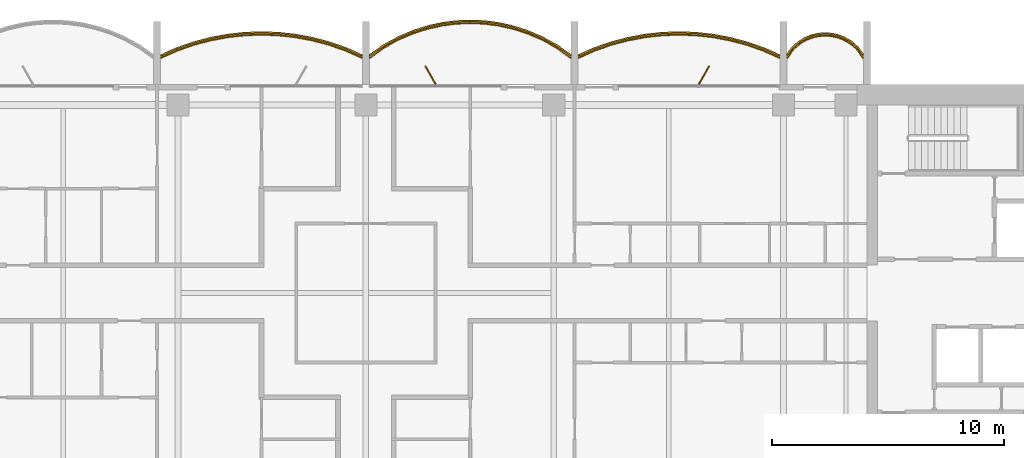
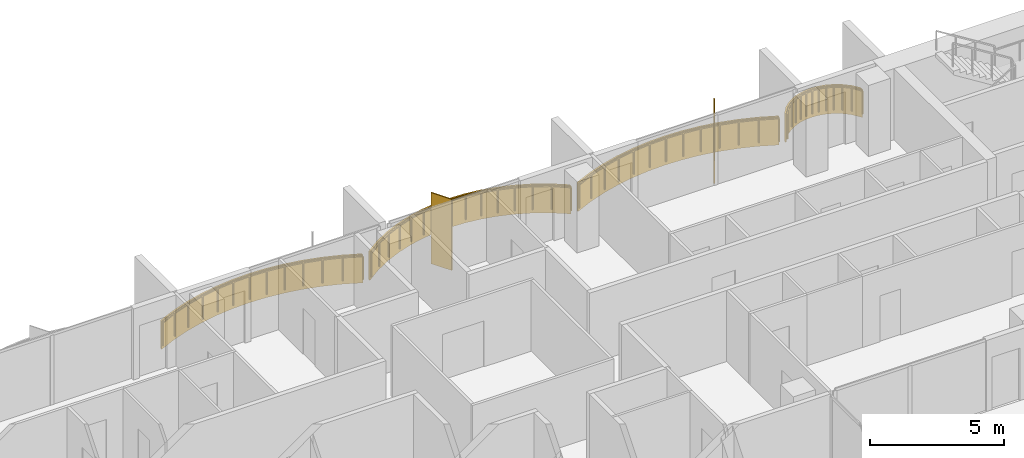
# One storey, part 17 of 17: 4 coverings, 4 railings, 2 shading devices.
"""IFC4 building model written with IfcOpenShell, lengths in metres."""

from ifc_helpers import new_model, si_unit, direction, frame, origin, origin_2d, place, context, subcontext, project, spatial, polyline, rectangle, outline, extrude, material, layer, layer_set, type_object, element, save


model = new_model("IFC4")

# Units and contexts
model_context = context("Model", 3, precision=1e-05, world=origin(), true_north=direction((0.0, 1.0)))
body_context = subcontext(model_context, "Body", "Model", "MODEL_VIEW")
ifc_project = project(units=[si_unit("LENGTHUNIT", "METRE"), si_unit("AREAUNIT", "SQUARE_METRE"), si_unit("VOLUMEUNIT", "CUBIC_METRE"), si_unit("PLANEANGLEUNIT", "RADIAN"), si_unit("MASSUNIT", "GRAM", prefix="KILO")], contexts=[model_context])

# Site, building, storey
site_placement = place(None, origin())
site = spatial("IfcSite", under=ifc_project, at=site_placement, CompositionType="ELEMENT")
building_placement = place(site_placement, origin())
building = spatial("IfcBuilding", under=site, at=building_placement, Name="Perihelion Cross Residences", CompositionType="ELEMENT")
storey_placement = place(building_placement, frame((0.0, 0.0, 194.60009765625)))
storey = spatial("IfcBuildingStorey", under=building, at=storey_placement, Name="L48", CompositionType="ELEMENT", Elevation=194.60009765625)

# Coverings
ifc_material_1 = material(Name="Bronze anodised aluminium", Category="aluminium")
ifc_layer_1 = layer(ifc_material_1, 0.070068359375)
ifc_layer_set_1 = layer_set([ifc_layer_1], Name="Balcony fascia 1300")
covering_type = type_object("IfcCoveringType", Name="Balcony fascia 1300", PredefinedType="CLADDING", material=ifc_layer_set_1)
covering_1_placement = place(storey_placement, frame((0.0, 0.0, -0.2001953125)))
element("IfcCovering", 1, at=covering_1_placement, inside=storey, type_object=covering_type, Name="Fascia BF1 L48 east side north bay 1", PredefinedType="CLADDING", context=body_context, shape_type="SweptSolid", body=[
    extrude(outline(polyline([(21.226318359375, 10.616455078125), (20.94091796875, 10.86328125), (20.655517578125, 11.031494140625), (20.370361328125, 11.142578125), (20.085205078125, 11.206298828125), (19.800048828125, 11.22705078125), (19.514892578125, 11.206298828125), (19.229736328125, 11.142578125), (18.9443359375, 11.031494140625), (18.6591796875, 10.86328125), (18.373779296875, 10.616455078125), (18.14990234375, 10.31689453125), (18.14990234375, 10.199951171875), (18.425048828125, 10.568603515625), (18.699951171875, 10.806396484375), (18.97509765625, 10.96875), (19.25, 11.07568359375), (19.52490234375, 11.136962890625), (19.800048828125, 11.156982421875), (20.074951171875, 11.136962890625), (20.35009765625, 11.07568359375), (20.625, 10.96875), (20.89990234375, 10.806396484375), (21.175048828125, 10.568603515625), (21.449951171875, 10.199951171875), (21.449951171875, 10.31689453125), (21.226318359375, 10.616455078125)])), origin(), (0.0, 0.0, 1.0), 1.300048828125),
])
covering_2_placement = place(storey_placement, frame((0.0, 0.0, -0.2001953125)))
element("IfcCovering", 2, at=covering_2_placement, inside=storey, type_object=covering_type, Name="Fascia BF1 L48 east side north bay 2", PredefinedType="CLADDING", context=body_context, shape_type="SweptSolid", body=[
    extrude(outline(polyline([(17.150634765625, 10.582275390625), (16.42041015625, 10.83544921875), (15.690185546875, 11.028076171875), (14.960205078125, 11.1630859375), (14.22998046875, 11.243408203125), (13.5, 11.27001953125), (12.77001953125, 11.243408203125), (12.039794921875, 11.1630859375), (11.309814453125, 11.028076171875), (10.57958984375, 10.83544921875), (9.849365234375, 10.582275390625), (9.14990234375, 10.2763671875), (9.14990234375, 10.199951171875), (9.875, 10.51708984375), (10.60009765625, 10.7685546875), (11.324951171875, 10.959716796875), (12.050048828125, 11.093994140625), (12.77490234375, 11.173583984375), (13.5, 11.199951171875), (14.22509765625, 11.173583984375), (14.949951171875, 11.093994140625), (15.675048828125, 10.959716796875), (16.39990234375, 10.7685546875), (17.125, 10.51708984375), (17.85009765625, 10.199951171875), (17.85009765625, 10.2763671875), (17.150634765625, 10.582275390625)])), origin(), (0.0, 0.0, 1.0), 1.300048828125),
])
covering_3_placement = place(storey_placement, frame((0.0, 0.0, -0.2001953125)))
element("IfcCovering", 3, at=covering_3_placement, inside=storey, type_object=covering_type, Name="Fascia BF1 L48 north side east bay 1", PredefinedType="CLADDING", context=body_context, shape_type="SweptSolid", body=[
    extrude(outline(polyline([(8.265625, 10.694091796875), (7.637939453125, 11.0419921875), (7.010498046875, 11.313232421875), (6.3828125, 11.516845703125), (5.755126953125, 11.65869140625), (5.127685546875, 11.742431640625), (4.5, 11.77001953125), (3.872314453125, 11.742431640625), (3.244873046875, 11.65869140625), (2.6171875, 11.516845703125), (1.989501953125, 11.313232421875), (1.362060546875, 11.0419921875), (0.734375, 10.694091796875), (0.14990234375, 10.285400390625), (0.14990234375, 10.199951171875), (0.771484375, 10.634765625), (1.392822265625, 10.979248046875), (2.014404296875, 11.247802734375), (2.6357421875, 11.44921875), (3.257080078125, 11.589599609375), (3.878662109375, 11.672607421875), (4.5, 11.699951171875), (5.121337890625, 11.672607421875), (5.742919921875, 11.589599609375), (6.3642578125, 11.44921875), (6.985595703125, 11.247802734375), (7.607177734375, 10.979248046875), (8.228515625, 10.634765625), (8.85009765625, 10.199951171875), (8.85009765625, 10.285400390625), (8.265625, 10.694091796875)])), origin(), (0.0, 0.0, 1.0), 1.300048828125),
])
covering_4_placement = place(storey_placement, frame((0.0, 0.0, -0.2001953125)))
element("IfcCovering", 4, at=covering_4_placement, inside=storey, type_object=covering_type, Name="Fascia BF1 L48 north side east bay 2", PredefinedType="CLADDING", context=body_context, shape_type="SweptSolid", body=[
    extrude(outline(polyline([(-0.849365234375, 10.582275390625), (-1.57958984375, 10.83544921875), (-2.309814453125, 11.028076171875), (-3.039794921875, 11.1630859375), (-3.77001953125, 11.243408203125), (-4.5, 11.27001953125), (-5.22998046875, 11.243408203125), (-5.960205078125, 11.1630859375), (-6.690185546875, 11.028076171875), (-7.42041015625, 10.83544921875), (-8.150634765625, 10.582275390625), (-8.85009765625, 10.2763671875), (-8.85009765625, 10.199951171875), (-8.125, 10.51708984375), (-7.39990234375, 10.7685546875), (-6.675048828125, 10.959716796875), (-5.949951171875, 11.093994140625), (-5.22509765625, 11.173583984375), (-4.5, 11.199951171875), (-3.77490234375, 11.173583984375), (-3.050048828125, 11.093994140625), (-2.324951171875, 10.959716796875), (-1.60009765625, 10.7685546875), (-0.875, 10.51708984375), (-0.14990234375, 10.199951171875), (-0.14990234375, 10.2763671875), (-0.849365234375, 10.582275390625)])), origin(), (0.0, 0.0, 1.0), 1.300048828125),
])

# Railings
ifc_material_2 = material(Name="Bronze anodised aluminium", Category="aluminium")
railing_type = type_object("IfcRailingType", Name="Balcony guard 1100", PredefinedType="GUARDRAIL", material=ifc_material_2)
railing_1_placement = place(storey_placement, frame((21.425048828125, 10.139892578125, 0.0)))
element("IfcRailing", 5, at=railing_1_placement, inside=storey, type_object=railing_type, Name="Guard GU1 L48 east side north bay 1 balcony", PredefinedType="GUARDRAIL", context=body_context, shape_type="SweptSolid", body=[
    extrude(rectangle(XDim=0.048095703125, YDim=0.048095703125, at=origin_2d()), frame((0.0, 0.0, 1.076171875), z_axis=(-0.561260132269, 0.827639452857, 0.0), x_axis=(-0.827639452857, -0.561260132269, 0.0)), (0.0, 0.0, 1.0), 0.4453125),
    extrude(rectangle(XDim=0.048095703125, YDim=0.048095703125, at=origin_2d()), frame((-0.25, 0.36865234375, 1.076171875), z_axis=(-0.756596535164, 0.653882009982, 0.0), x_axis=(-0.653882009982, -0.756596535164, 0.0)), (0.0, 0.0, 1.0), 0.36376953125),
    extrude(rectangle(XDim=0.048095703125, YDim=0.048095703125, at=origin_2d()), frame((-0.525146484375, 0.6064453125, 1.076171875), z_axis=(-0.861048292884, 0.508523192511, 0.0), x_axis=(-0.508523192511, -0.861048292884, 0.0)), (0.0, 0.0, 1.0), 0.3193359375),
    extrude(rectangle(XDim=0.048095703125, YDim=0.048095703125, at=origin_2d()), frame((-0.800048828125, 0.768798828125, 1.076171875), z_axis=(-0.931973602183, 0.362526143656, 0.0), x_axis=(-0.362526143656, -0.931973602183, 0.0)), (0.0, 0.0, 1.0), 0.294921875),
    extrude(rectangle(XDim=0.048095703125, YDim=0.048095703125, at=origin_2d()), frame((-1.074951171875, 0.875732421875, 1.076171875), z_axis=(-0.976085059389, 0.21738895289, 0.0), x_axis=(-0.21738895289, -0.976085059389, 0.0)), (0.0, 0.0, 1.0), 0.281982421875),
    extrude(rectangle(XDim=0.048095703125, YDim=0.048095703125, at=origin_2d()), frame((-1.35009765625, 0.93701171875, 1.076171875), z_axis=(-0.997358821833, 0.072631814734, 0.0), x_axis=(-0.072631814734, -0.997358821833, 0.0)), (0.0, 0.0, 1.0), 0.275634765625),
    extrude(rectangle(XDim=0.048095703125, YDim=0.048095703125, at=origin_2d()), frame((-1.625, 0.95703125, 1.076171875), z_axis=(-0.997363488337, -0.072567707226, 0.0), x_axis=(0.072567707226, -0.997363488337, 0.0)), (0.0, 0.0, 1.0), 0.27587890625),
    extrude(rectangle(XDim=0.048095703125, YDim=0.048095703125, at=origin_2d()), frame((-1.900146484375, 0.93701171875, 1.076171875), z_axis=(-0.976044077717, -0.217572880557, 0.0), x_axis=(0.217572880557, -0.976044077717, 0.0)), (0.0, 0.0, 1.0), 0.28173828125),
    extrude(rectangle(XDim=0.048095703125, YDim=0.048095703125, at=origin_2d()), frame((-2.175048828125, 0.875732421875, 1.076171875), z_axis=(-0.931973602183, -0.362526143656, 0.0), x_axis=(0.362526143656, -0.931973602183, 0.0)), (0.0, 0.0, 1.0), 0.294921875),
    extrude(rectangle(XDim=0.048095703125, YDim=0.048095703125, at=origin_2d()), frame((-2.449951171875, 0.768798828125, 1.076171875), z_axis=(-0.861245845072, -0.508188542123, 0.0), x_axis=(0.508188542123, -0.861245845072, 0.0)), (0.0, 0.0, 1.0), 0.319580078125),
    extrude(rectangle(XDim=0.048095703125, YDim=0.048095703125, at=origin_2d()), frame((-2.72509765625, 0.6064453125, 1.076171875), z_axis=(-0.756309278473, -0.654214242658, 0.0), x_axis=(0.654214242658, -0.756309278473, 0.0)), (0.0, 0.0, 1.0), 0.363525390625),
    extrude(rectangle(XDim=0.048095703125, YDim=0.048095703125, at=origin_2d()), frame((-3.0, 0.36865234375, 1.076171875), z_axis=(-0.561260132269, -0.827639452857, 0.0), x_axis=(0.827639452857, -0.561260132269, 0.0)), (0.0, 0.0, 1.0), 0.4453125),
    extrude(rectangle(XDim=0.0419921875, YDim=0.0419921875, at=origin_2d()), origin(), (0.0, 0.0, 1.0), 1.052001953125),
    extrude(rectangle(XDim=0.0419921875, YDim=0.0419921875, at=origin_2d()), frame((-0.25, 0.36865234375, 0.0)), (0.0, 0.0, 1.0), 1.052001953125),
    extrude(rectangle(XDim=0.0419921875, YDim=0.0419921875, at=origin_2d()), frame((-0.525146484375, 0.6064453125, 0.0)), (0.0, 0.0, 1.0), 1.052001953125),
    extrude(rectangle(XDim=0.0419921875, YDim=0.0419921875, at=origin_2d()), frame((-0.800048828125, 0.768798828125, 0.0)), (0.0, 0.0, 1.0), 1.052001953125),
    extrude(rectangle(XDim=0.0419921875, YDim=0.0419921875, at=origin_2d()), frame((-1.074951171875, 0.875732421875, 0.0)), (0.0, 0.0, 1.0), 1.052001953125),
    extrude(rectangle(XDim=0.0419921875, YDim=0.0419921875, at=origin_2d()), frame((-1.35009765625, 0.93701171875, 0.0)), (0.0, 0.0, 1.0), 1.052001953125),
    extrude(rectangle(XDim=0.0419921875, YDim=0.0419921875, at=origin_2d()), frame((-1.625, 0.95703125, 0.0)), (0.0, 0.0, 1.0), 1.052001953125),
    extrude(rectangle(XDim=0.0419921875, YDim=0.0419921875, at=origin_2d()), frame((-1.900146484375, 0.93701171875, 0.0)), (0.0, 0.0, 1.0), 1.052001953125),
    extrude(rectangle(XDim=0.0419921875, YDim=0.0419921875, at=origin_2d()), frame((-2.175048828125, 0.875732421875, 0.0)), (0.0, 0.0, 1.0), 1.052001953125),
    extrude(rectangle(XDim=0.0419921875, YDim=0.0419921875, at=origin_2d()), frame((-2.449951171875, 0.768798828125, 0.0)), (0.0, 0.0, 1.0), 1.052001953125),
    extrude(rectangle(XDim=0.0419921875, YDim=0.0419921875, at=origin_2d()), frame((-2.72509765625, 0.6064453125, 0.0)), (0.0, 0.0, 1.0), 1.052001953125),
    extrude(rectangle(XDim=0.0419921875, YDim=0.0419921875, at=origin_2d()), frame((-3.0, 0.36865234375, 0.0)), (0.0, 0.0, 1.0), 1.052001953125),
    extrude(rectangle(XDim=0.0419921875, YDim=0.0419921875, at=origin_2d()), frame((-3.25, 0.0, 0.0)), (0.0, 0.0, 1.0), 1.052001953125),
])
railing_2_placement = place(storey_placement, frame((17.824951171875, 10.139892578125, 0.0)))
element("IfcRailing", 6, at=railing_2_placement, inside=storey, type_object=railing_type, Name="Guard GU1 L48 east side north bay 2 balcony", PredefinedType="GUARDRAIL", context=body_context, shape_type="SweptSolid", body=[
    extrude(rectangle(XDim=0.048095703125, YDim=0.048095703125, at=origin_2d()), frame((0.0, 0.0, 1.076171875), z_axis=(-0.910866309087, 0.412701547089, 0.0), x_axis=(-0.412701547089, -0.910866309087, 0.0)), (0.0, 0.0, 1.0), 0.7685546875),
    extrude(rectangle(XDim=0.048095703125, YDim=0.048095703125, at=origin_2d()), frame((-0.699951171875, 0.317138671875, 1.076171875), z_axis=(-0.944796812452, 0.327656807012, 0.0), x_axis=(-0.327656807012, -0.944796812452, 0.0)), (0.0, 0.0, 1.0), 0.767578125),
    extrude(rectangle(XDim=0.048095703125, YDim=0.048095703125, at=origin_2d()), frame((-1.425048828125, 0.568603515625, 1.076171875), z_axis=(-0.966939404945, 0.255006249266, 0.0), x_axis=(-0.255006249266, -0.966939404945, 0.0)), (0.0, 0.0, 1.0), 0.749755859375),
    extrude(rectangle(XDim=0.048095703125, YDim=0.048095703125, at=origin_2d()), frame((-2.14990234375, 0.759765625, 1.076171875), z_axis=(-0.983282004984, 0.182089260182, 0.0), x_axis=(-0.182089260182, -0.983282004984, 0.0)), (0.0, 0.0, 1.0), 0.7373046875),
    extrude(rectangle(XDim=0.048095703125, YDim=0.048095703125, at=origin_2d()), frame((-2.875, 0.89404296875, 1.076171875), z_axis=(-0.994025805622, 0.109145305703, 0.0), x_axis=(-0.109145305703, -0.994025805622, 0.0)), (0.0, 0.0, 1.0), 0.729248046875),
    extrude(rectangle(XDim=0.048095703125, YDim=0.048095703125, at=origin_2d()), frame((-3.599853515625, 0.9736328125, 1.076171875), z_axis=(-0.999339497946, 0.036339618107, 0.0), x_axis=(-0.036339618107, -0.999339497946, 0.0)), (0.0, 0.0, 1.0), 0.7255859375),
    extrude(rectangle(XDim=0.048095703125, YDim=0.048095703125, at=origin_2d()), frame((-4.324951171875, 1.0, 1.076171875), z_axis=(-0.999339497946, -0.036339618107, 0.0), x_axis=(0.036339618107, -0.999339497946, 0.0)), (0.0, 0.0, 1.0), 0.7255859375),
    extrude(rectangle(XDim=0.048095703125, YDim=0.048095703125, at=origin_2d()), frame((-5.050048828125, 0.9736328125, 1.076171875), z_axis=(-0.994025805622, -0.109145305703, 0.0), x_axis=(0.109145305703, -0.994025805622, 0.0)), (0.0, 0.0, 1.0), 0.729248046875),
    extrude(rectangle(XDim=0.048095703125, YDim=0.048095703125, at=origin_2d()), frame((-5.77490234375, 0.89404296875, 1.076171875), z_axis=(-0.983282004984, -0.182089260182, 0.0), x_axis=(0.182089260182, -0.983282004984, 0.0)), (0.0, 0.0, 1.0), 0.7373046875),
    extrude(rectangle(XDim=0.048095703125, YDim=0.048095703125, at=origin_2d()), frame((-6.5, 0.759765625, 1.076171875), z_axis=(-0.966939404945, -0.255006249266, 0.0), x_axis=(0.255006249266, -0.966939404945, 0.0)), (0.0, 0.0, 1.0), 0.749755859375),
    extrude(rectangle(XDim=0.048095703125, YDim=0.048095703125, at=origin_2d()), frame((-7.224853515625, 0.568603515625, 1.076171875), z_axis=(-0.944796812452, -0.327656807012, 0.0), x_axis=(0.327656807012, -0.944796812452, 0.0)), (0.0, 0.0, 1.0), 0.767578125),
    extrude(rectangle(XDim=0.048095703125, YDim=0.048095703125, at=origin_2d()), frame((-7.949951171875, 0.317138671875, 1.076171875), z_axis=(-0.910866309087, -0.412701547089, 0.0), x_axis=(0.412701547089, -0.910866309087, 0.0)), (0.0, 0.0, 1.0), 0.7685546875),
    extrude(rectangle(XDim=0.0419921875, YDim=0.0419921875, at=origin_2d()), origin(), (0.0, 0.0, 1.0), 1.052001953125),
    extrude(rectangle(XDim=0.0419921875, YDim=0.0419921875, at=origin_2d()), frame((-0.699951171875, 0.317138671875, 0.0)), (0.0, 0.0, 1.0), 1.052001953125),
    extrude(rectangle(XDim=0.0419921875, YDim=0.0419921875, at=origin_2d()), frame((-1.425048828125, 0.568603515625, 0.0)), (0.0, 0.0, 1.0), 1.052001953125),
    extrude(rectangle(XDim=0.0419921875, YDim=0.0419921875, at=origin_2d()), frame((-2.14990234375, 0.759765625, 0.0)), (0.0, 0.0, 1.0), 1.052001953125),
    extrude(rectangle(XDim=0.0419921875, YDim=0.0419921875, at=origin_2d()), frame((-2.875, 0.89404296875, 0.0)), (0.0, 0.0, 1.0), 1.052001953125),
    extrude(rectangle(XDim=0.0419921875, YDim=0.0419921875, at=origin_2d()), frame((-3.599853515625, 0.9736328125, 0.0)), (0.0, 0.0, 1.0), 1.052001953125),
    extrude(rectangle(XDim=0.0419921875, YDim=0.0419921875, at=origin_2d()), frame((-4.324951171875, 1.0, 0.0)), (0.0, 0.0, 1.0), 1.052001953125),
    extrude(rectangle(XDim=0.0419921875, YDim=0.0419921875, at=origin_2d()), frame((-5.050048828125, 0.9736328125, 0.0)), (0.0, 0.0, 1.0), 1.052001953125),
    extrude(rectangle(XDim=0.0419921875, YDim=0.0419921875, at=origin_2d()), frame((-5.77490234375, 0.89404296875, 0.0)), (0.0, 0.0, 1.0), 1.052001953125),
    extrude(rectangle(XDim=0.0419921875, YDim=0.0419921875, at=origin_2d()), frame((-6.5, 0.759765625, 0.0)), (0.0, 0.0, 1.0), 1.052001953125),
    extrude(rectangle(XDim=0.0419921875, YDim=0.0419921875, at=origin_2d()), frame((-7.224853515625, 0.568603515625, 0.0)), (0.0, 0.0, 1.0), 1.052001953125),
    extrude(rectangle(XDim=0.0419921875, YDim=0.0419921875, at=origin_2d()), frame((-7.949951171875, 0.317138671875, 0.0)), (0.0, 0.0, 1.0), 1.052001953125),
    extrude(rectangle(XDim=0.0419921875, YDim=0.0419921875, at=origin_2d()), frame((-8.64990234375, 0.0, 0.0)), (0.0, 0.0, 1.0), 1.052001953125),
])
railing_3_placement = place(storey_placement, frame((8.824951171875, 10.139892578125, 0.0)))
element("IfcRailing", 7, at=railing_3_placement, inside=storey, type_object=railing_type, Name="Guard GU1 L48 north side east bay 1 balcony", PredefinedType="GUARDRAIL", context=body_context, shape_type="SweptSolid", body=[
    extrude(rectangle(XDim=0.048095703125, YDim=0.048095703125, at=origin_2d()), frame((0.0, 0.0, 1.076171875), z_axis=(-0.808063294873, 0.589095672603, 0.0), x_axis=(-0.589095672603, -0.808063294873, 0.0)), (0.0, 0.0, 1.0), 0.738037109375),
    extrude(rectangle(XDim=0.048095703125, YDim=0.048095703125, at=origin_2d()), frame((-0.596435546875, 0.434814453125, 1.076171875), z_axis=(-0.874578399268, 0.484884134133, 0.0), x_axis=(-0.484884134133, -0.874578399268, 0.0)), (0.0, 0.0, 1.0), 0.71044921875),
    extrude(rectangle(XDim=0.048095703125, YDim=0.048095703125, at=origin_2d()), frame((-1.2177734375, 0.779296875, 1.076171875), z_axis=(-0.917984792895, 0.396615582162, 0.0), x_axis=(-0.396615582162, -0.917984792895, 0.0)), (0.0, 0.0, 1.0), 0.677001953125),
    extrude(rectangle(XDim=0.048095703125, YDim=0.048095703125, at=origin_2d()), frame((-1.83935546875, 1.0478515625, 1.076171875), z_axis=(-0.951157585372, 0.308705762482, 0.0), x_axis=(-0.308705762482, -0.951157585372, 0.0)), (0.0, 0.0, 1.0), 0.6533203125),
    extrude(rectangle(XDim=0.048095703125, YDim=0.048095703125, at=origin_2d()), frame((-2.460693359375, 1.24951171875, 1.076171875), z_axis=(-0.975414431917, 0.220378506229, 0.0), x_axis=(-0.220378506229, -0.975414431917, 0.0)), (0.0, 0.0, 1.0), 0.636962890625),
    extrude(rectangle(XDim=0.048095703125, YDim=0.048095703125, at=origin_2d()), frame((-3.08203125, 1.389892578125, 1.076171875), z_axis=(-0.991251686862, 0.131985201039, 0.0), x_axis=(-0.131985201039, -0.991251686862, 0.0)), (0.0, 0.0, 1.0), 0.626953125),
    extrude(rectangle(XDim=0.048095703125, YDim=0.048095703125, at=origin_2d()), frame((-3.70361328125, 1.47265625, 1.076171875), z_axis=(-0.999033058467, 0.04396530552, 0.0), x_axis=(-0.04396530552, -0.999033058467, 0.0)), (0.0, 0.0, 1.0), 0.621826171875),
    extrude(rectangle(XDim=0.048095703125, YDim=0.048095703125, at=origin_2d()), frame((-4.324951171875, 1.5, 1.076171875), z_axis=(-0.999033058467, -0.04396530552, 0.0), x_axis=(0.04396530552, -0.999033058467, 0.0)), (0.0, 0.0, 1.0), 0.621826171875),
    extrude(rectangle(XDim=0.048095703125, YDim=0.048095703125, at=origin_2d()), frame((-4.9462890625, 1.47265625, 1.076171875), z_axis=(-0.991251686862, -0.131985201039, 0.0), x_axis=(0.131985201039, -0.991251686862, 0.0)), (0.0, 0.0, 1.0), 0.626953125),
    extrude(rectangle(XDim=0.048095703125, YDim=0.048095703125, at=origin_2d()), frame((-5.56787109375, 1.389892578125, 1.076171875), z_axis=(-0.975414431917, -0.220378506229, 0.0), x_axis=(0.220378506229, -0.975414431917, 0.0)), (0.0, 0.0, 1.0), 0.636962890625),
    extrude(rectangle(XDim=0.048095703125, YDim=0.048095703125, at=origin_2d()), frame((-6.189208984375, 1.24951171875, 1.076171875), z_axis=(-0.951157585372, -0.308705762482, 0.0), x_axis=(0.308705762482, -0.951157585372, 0.0)), (0.0, 0.0, 1.0), 0.6533203125),
    extrude(rectangle(XDim=0.048095703125, YDim=0.048095703125, at=origin_2d()), frame((-6.810546875, 1.0478515625, 1.076171875), z_axis=(-0.917984792895, -0.396615582162, 0.0), x_axis=(0.396615582162, -0.917984792895, 0.0)), (0.0, 0.0, 1.0), 0.677001953125),
    extrude(rectangle(XDim=0.048095703125, YDim=0.048095703125, at=origin_2d()), frame((-7.43212890625, 0.779296875, 1.076171875), z_axis=(-0.874578399268, -0.484884134133, 0.0), x_axis=(0.484884134133, -0.874578399268, 0.0)), (0.0, 0.0, 1.0), 0.71044921875),
    extrude(rectangle(XDim=0.048095703125, YDim=0.048095703125, at=origin_2d()), frame((-8.053466796875, 0.434814453125, 1.076171875), z_axis=(-0.808063294873, -0.589095672603, 0.0), x_axis=(0.589095672603, -0.808063294873, 0.0)), (0.0, 0.0, 1.0), 0.738037109375),
    extrude(rectangle(XDim=0.0419921875, YDim=0.0419921875, at=origin_2d()), origin(), (0.0, 0.0, 1.0), 1.052001953125),
    extrude(rectangle(XDim=0.0419921875, YDim=0.0419921875, at=origin_2d()), frame((-0.596435546875, 0.434814453125, 0.0)), (0.0, 0.0, 1.0), 1.052001953125),
    extrude(rectangle(XDim=0.0419921875, YDim=0.0419921875, at=origin_2d()), frame((-1.2177734375, 0.779296875, 0.0)), (0.0, 0.0, 1.0), 1.052001953125),
    extrude(rectangle(XDim=0.0419921875, YDim=0.0419921875, at=origin_2d()), frame((-1.83935546875, 1.0478515625, 0.0)), (0.0, 0.0, 1.0), 1.052001953125),
    extrude(rectangle(XDim=0.0419921875, YDim=0.0419921875, at=origin_2d()), frame((-2.460693359375, 1.24951171875, 0.0)), (0.0, 0.0, 1.0), 1.052001953125),
    extrude(rectangle(XDim=0.0419921875, YDim=0.0419921875, at=origin_2d()), frame((-3.08203125, 1.389892578125, 0.0)), (0.0, 0.0, 1.0), 1.052001953125),
    extrude(rectangle(XDim=0.0419921875, YDim=0.0419921875, at=origin_2d()), frame((-3.70361328125, 1.47265625, 0.0)), (0.0, 0.0, 1.0), 1.052001953125),
    extrude(rectangle(XDim=0.0419921875, YDim=0.0419921875, at=origin_2d()), frame((-4.324951171875, 1.5, 0.0)), (0.0, 0.0, 1.0), 1.052001953125),
    extrude(rectangle(XDim=0.0419921875, YDim=0.0419921875, at=origin_2d()), frame((-4.9462890625, 1.47265625, 0.0)), (0.0, 0.0, 1.0), 1.052001953125),
    extrude(rectangle(XDim=0.0419921875, YDim=0.0419921875, at=origin_2d()), frame((-5.56787109375, 1.389892578125, 0.0)), (0.0, 0.0, 1.0), 1.052001953125),
    extrude(rectangle(XDim=0.0419921875, YDim=0.0419921875, at=origin_2d()), frame((-6.189208984375, 1.24951171875, 0.0)), (0.0, 0.0, 1.0), 1.052001953125),
    extrude(rectangle(XDim=0.0419921875, YDim=0.0419921875, at=origin_2d()), frame((-6.810546875, 1.0478515625, 0.0)), (0.0, 0.0, 1.0), 1.052001953125),
    extrude(rectangle(XDim=0.0419921875, YDim=0.0419921875, at=origin_2d()), frame((-7.43212890625, 0.779296875, 0.0)), (0.0, 0.0, 1.0), 1.052001953125),
    extrude(rectangle(XDim=0.0419921875, YDim=0.0419921875, at=origin_2d()), frame((-8.053466796875, 0.434814453125, 0.0)), (0.0, 0.0, 1.0), 1.052001953125),
    extrude(rectangle(XDim=0.0419921875, YDim=0.0419921875, at=origin_2d()), frame((-8.64990234375, 0.0, 0.0)), (0.0, 0.0, 1.0), 1.052001953125),
])
railing_4_placement = place(storey_placement, frame((-0.175048828125, 10.139892578125, 0.0)))
element("IfcRailing", 8, at=railing_4_placement, inside=storey, type_object=railing_type, Name="Guard GU1 L48 north side east bay 2 balcony", PredefinedType="GUARDRAIL", context=body_context, shape_type="SweptSolid", body=[
    extrude(rectangle(XDim=0.048095703125, YDim=0.048095703125, at=origin_2d()), frame((0.0, 0.0, 1.076171875), z_axis=(-0.910866309087, 0.412701547089, 0.0), x_axis=(-0.412701547089, -0.910866309087, 0.0)), (0.0, 0.0, 1.0), 0.7685546875),
    extrude(rectangle(XDim=0.048095703125, YDim=0.048095703125, at=origin_2d()), frame((-0.699951171875, 0.317138671875, 1.076171875), z_axis=(-0.944796812452, 0.327656807012, 0.0), x_axis=(-0.327656807012, -0.944796812452, 0.0)), (0.0, 0.0, 1.0), 0.767578125),
    extrude(rectangle(XDim=0.048095703125, YDim=0.048095703125, at=origin_2d()), frame((-1.425048828125, 0.568603515625, 1.076171875), z_axis=(-0.966939404945, 0.255006249266, 0.0), x_axis=(-0.255006249266, -0.966939404945, 0.0)), (0.0, 0.0, 1.0), 0.749755859375),
    extrude(rectangle(XDim=0.048095703125, YDim=0.048095703125, at=origin_2d()), frame((-2.14990234375, 0.759765625, 1.076171875), z_axis=(-0.983282004984, 0.182089260182, 0.0), x_axis=(-0.182089260182, -0.983282004984, 0.0)), (0.0, 0.0, 1.0), 0.7373046875),
    extrude(rectangle(XDim=0.048095703125, YDim=0.048095703125, at=origin_2d()), frame((-2.875, 0.89404296875, 1.076171875), z_axis=(-0.994025805622, 0.109145305703, 0.0), x_axis=(-0.109145305703, -0.994025805622, 0.0)), (0.0, 0.0, 1.0), 0.729248046875),
    extrude(rectangle(XDim=0.048095703125, YDim=0.048095703125, at=origin_2d()), frame((-3.599853515625, 0.9736328125, 1.076171875), z_axis=(-0.999339497946, 0.036339618107, 0.0), x_axis=(-0.036339618107, -0.999339497946, 0.0)), (0.0, 0.0, 1.0), 0.7255859375),
    extrude(rectangle(XDim=0.048095703125, YDim=0.048095703125, at=origin_2d()), frame((-4.324951171875, 1.0, 1.076171875), z_axis=(-0.999339497946, -0.036339618107, 0.0), x_axis=(0.036339618107, -0.999339497946, 0.0)), (0.0, 0.0, 1.0), 0.7255859375),
    extrude(rectangle(XDim=0.048095703125, YDim=0.048095703125, at=origin_2d()), frame((-5.050048828125, 0.9736328125, 1.076171875), z_axis=(-0.994025805622, -0.109145305703, 0.0), x_axis=(0.109145305703, -0.994025805622, 0.0)), (0.0, 0.0, 1.0), 0.729248046875),
    extrude(rectangle(XDim=0.048095703125, YDim=0.048095703125, at=origin_2d()), frame((-5.77490234375, 0.89404296875, 1.076171875), z_axis=(-0.983282004984, -0.182089260182, 0.0), x_axis=(0.182089260182, -0.983282004984, 0.0)), (0.0, 0.0, 1.0), 0.7373046875),
    extrude(rectangle(XDim=0.048095703125, YDim=0.048095703125, at=origin_2d()), frame((-6.5, 0.759765625, 1.076171875), z_axis=(-0.966939404945, -0.255006249266, 0.0), x_axis=(0.255006249266, -0.966939404945, 0.0)), (0.0, 0.0, 1.0), 0.749755859375),
    extrude(rectangle(XDim=0.048095703125, YDim=0.048095703125, at=origin_2d()), frame((-7.224853515625, 0.568603515625, 1.076171875), z_axis=(-0.944796812452, -0.327656807012, 0.0), x_axis=(0.327656807012, -0.944796812452, 0.0)), (0.0, 0.0, 1.0), 0.767578125),
    extrude(rectangle(XDim=0.048095703125, YDim=0.048095703125, at=origin_2d()), frame((-7.949951171875, 0.317138671875, 1.076171875), z_axis=(-0.910866309087, -0.412701547089, 0.0), x_axis=(0.412701547089, -0.910866309087, 0.0)), (0.0, 0.0, 1.0), 0.7685546875),
    extrude(rectangle(XDim=0.0419921875, YDim=0.0419921875, at=origin_2d()), origin(), (0.0, 0.0, 1.0), 1.052001953125),
    extrude(rectangle(XDim=0.0419921875, YDim=0.0419921875, at=origin_2d()), frame((-0.699951171875, 0.317138671875, 0.0)), (0.0, 0.0, 1.0), 1.052001953125),
    extrude(rectangle(XDim=0.0419921875, YDim=0.0419921875, at=origin_2d()), frame((-1.425048828125, 0.568603515625, 0.0)), (0.0, 0.0, 1.0), 1.052001953125),
    extrude(rectangle(XDim=0.0419921875, YDim=0.0419921875, at=origin_2d()), frame((-2.14990234375, 0.759765625, 0.0)), (0.0, 0.0, 1.0), 1.052001953125),
    extrude(rectangle(XDim=0.0419921875, YDim=0.0419921875, at=origin_2d()), frame((-2.875, 0.89404296875, 0.0)), (0.0, 0.0, 1.0), 1.052001953125),
    extrude(rectangle(XDim=0.0419921875, YDim=0.0419921875, at=origin_2d()), frame((-3.599853515625, 0.9736328125, 0.0)), (0.0, 0.0, 1.0), 1.052001953125),
    extrude(rectangle(XDim=0.0419921875, YDim=0.0419921875, at=origin_2d()), frame((-4.324951171875, 1.0, 0.0)), (0.0, 0.0, 1.0), 1.052001953125),
    extrude(rectangle(XDim=0.0419921875, YDim=0.0419921875, at=origin_2d()), frame((-5.050048828125, 0.9736328125, 0.0)), (0.0, 0.0, 1.0), 1.052001953125),
    extrude(rectangle(XDim=0.0419921875, YDim=0.0419921875, at=origin_2d()), frame((-5.77490234375, 0.89404296875, 0.0)), (0.0, 0.0, 1.0), 1.052001953125),
    extrude(rectangle(XDim=0.0419921875, YDim=0.0419921875, at=origin_2d()), frame((-6.5, 0.759765625, 0.0)), (0.0, 0.0, 1.0), 1.052001953125),
    extrude(rectangle(XDim=0.0419921875, YDim=0.0419921875, at=origin_2d()), frame((-7.224853515625, 0.568603515625, 0.0)), (0.0, 0.0, 1.0), 1.052001953125),
    extrude(rectangle(XDim=0.0419921875, YDim=0.0419921875, at=origin_2d()), frame((-7.949951171875, 0.317138671875, 0.0)), (0.0, 0.0, 1.0), 1.052001953125),
    extrude(rectangle(XDim=0.0419921875, YDim=0.0419921875, at=origin_2d()), frame((-8.64990234375, 0.0, 0.0)), (0.0, 0.0, 1.0), 1.052001953125),
])

# Shading devices
ifc_material_3 = material(Name="Bronze anodised aluminium", Category="aluminium")
ifc_layer_2 = layer(ifc_material_3, 0.050048828125)
ifc_layer_set_2 = layer_set([ifc_layer_2], Name="Bronze fin 900")
shading_device_type = type_object("IfcShadingDeviceType", Name="Bronze fin 900", PredefinedType="USERDEFINED", material=ifc_layer_set_2)
for number, where, z_axis, x_axis, name in (
    (9, (14.574951171875, 9.3896484375, 0.0), (0.0, 0.0, 1.0), (0.5, 0.866025403784, 0.0), "Fin FN1 L48 east side north bay 2"),
    (10, (2.78759765625, 9.3896484375, 0.0), (0.0, 0.0, 1.0), (-0.5, 0.866025403784, 0.0), "Fin FN1 L48 north side east bay 1"),
):
    element("IfcShadingDevice", number, at=place(storey_placement, frame(where, z_axis=z_axis, x_axis=x_axis)), inside=storey, type_object=shading_device_type, Name=name, ObjectType="FIN", PredefinedType="USERDEFINED", context=body_context, shape_type="SweptSolid", body=[
        extrude(rectangle(XDim=0.89990234375, YDim=0.050048828125, at=origin_2d()), origin(), (0.0, 0.0, 1.0), 3.25),
    ])

save(model, "model.ifc")
